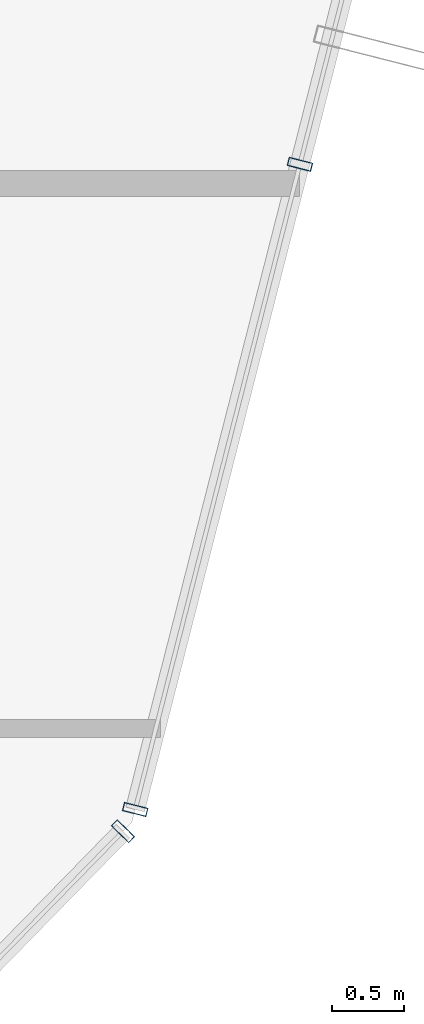
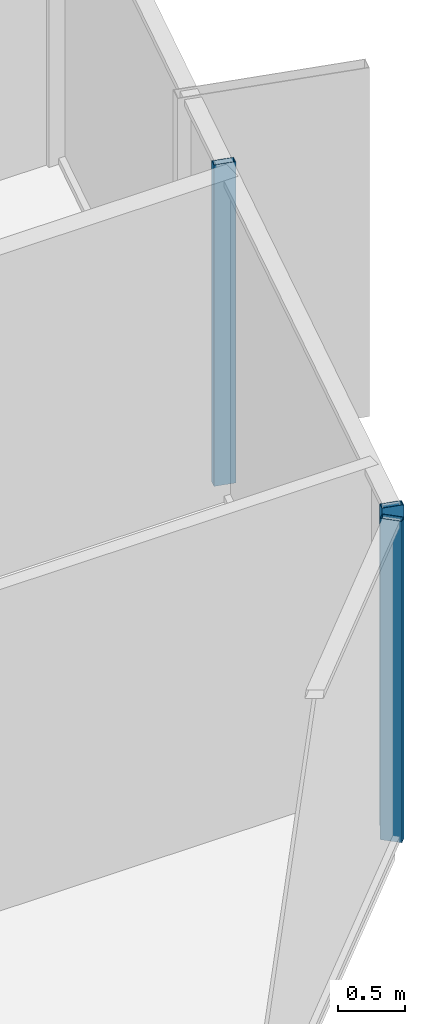
# One storey, part 15 of 39: 3 members, 2 elements without a shape of their own.
"""IFC4 building model written with IfcOpenShell, lengths in metres."""

import ifcopenshell
import ifcopenshell.guid

model = None  # the IFC model being written
_history = None  # IfcOwnerHistory: only IFC2X3 demands one
_inside = {}  # id of a spatial element -> (the spatial element, [elements in it])
_under = {}  # id of a project, library or spatial element -> (it, [spatial elements below it])
_declared = {}  # id of a project -> (the project, [libraries it declares])
_typed = {}  # id of a type object -> (the type object, [elements of that type])
_made_of = {}  # id of a material, layer set ... -> (it, [elements and type objects made of it])


def new_model(schema):
    """Start an empty IFC model of exactly this schema.

    Asked for "IFC4X3", IfcOpenShell would pick the latest addendum, in which some entities
    have other attributes; the version numbers below select the first issue.
    IFC2X3 requires an IfcOwnerHistory on every rooted entity: one is made here for all.
    """
    global model, _history
    if schema == "IFC4X3":
        model = ifcopenshell.file(schema_version=(4, 3, 0, 0))
    else:
        model = ifcopenshell.file(schema=schema)
    _inside.clear()
    _under.clear()
    _declared.clear()
    _typed.clear()
    _made_of.clear()
    _history = None
    if model.schema == "IFC2X3":
        org = make("IfcOrganization", Name="unknown")
        user = make(
            "IfcPersonAndOrganization",
            ThePerson=make("IfcPerson", FamilyName="unknown"),
            TheOrganization=org,
        )
        app = make(
            "IfcApplication",
            ApplicationDeveloper=org,
            Version="unknown",
            ApplicationFullName="unknown",
            ApplicationIdentifier="unknown",
        )
        _history = make(
            "IfcOwnerHistory",
            OwningUser=user,
            OwningApplication=app,
            ChangeAction="ADDED",
            CreationDate=0,
        )
    return model


def make(cls, **values):
    """One entity of the class cls with the attributes given. An attribute that is None is left unset."""
    return model.create_entity(
        cls, **{name: value for name, value in values.items() if value is not None}
    )


def rooted(cls, **values):
    """An entity with a GlobalId (a new one), such as an element, a storey or a relation."""
    return make(cls, GlobalId=ifcopenshell.guid.new(), OwnerHistory=_history, **values)


def si_unit(unit_type, name, prefix=None):
    """IfcSIUnit, for example si_unit("LENGTHUNIT", "METRE", prefix="MILLI")."""
    return make("IfcSIUnit", UnitType=unit_type, Prefix=prefix, Name=name)


def assignment(units):
    """IfcUnitAssignment: the units of a project."""
    return None if units is None else make("IfcUnitAssignment", Units=units)


def point(xyz):
    """IfcCartesianPoint."""
    return None if xyz is None else make("IfcCartesianPoint", Coordinates=xyz)


def direction(xyz):
    """IfcDirection."""
    return None if xyz is None else make("IfcDirection", DirectionRatios=xyz)


def frame(location, z_axis=None, x_axis=None):
    """IfcAxis2Placement3D, a coordinate frame: its origin and axes. An axis left out is left unset."""
    return make(
        "IfcAxis2Placement3D",
        Location=point(location),
        Axis=direction(z_axis),
        RefDirection=direction(x_axis),
    )


def frame_2d(location, x_axis=None):
    """IfcAxis2Placement2D, a coordinate frame in the plane: its origin and x axis."""
    return make(
        "IfcAxis2Placement2D", Location=point(location), RefDirection=direction(x_axis)
    )


def origin():
    """The frame at (0, 0, 0) with its axes left unset."""
    return frame((0.0, 0.0, 0.0))


def origin_2d():
    """The frame at (0, 0) in the plane with its x axis left unset."""
    return frame_2d((0.0, 0.0))


def place(relative_to, where):
    """IfcLocalPlacement: puts the frame where relative to a parent placement (None: the world)."""
    return make(
        "IfcLocalPlacement", PlacementRelTo=relative_to, RelativePlacement=where
    )


def context(
    kind, dimensions, precision=None, world=None, true_north=None, identifier=None
):
    """IfcGeometricRepresentationContext, for example the 3D "Model" context."""
    return make(
        "IfcGeometricRepresentationContext",
        ContextIdentifier=identifier,
        ContextType=kind,
        CoordinateSpaceDimension=dimensions,
        Precision=precision,
        WorldCoordinateSystem=world,
        TrueNorth=true_north,
    )


def subcontext(parent, identifier, kind, view, scale=None):
    """IfcGeometricRepresentationSubContext, for example "Body" below "Model"."""
    return make(
        "IfcGeometricRepresentationSubContext",
        ContextIdentifier=identifier,
        ContextType=kind,
        ParentContext=parent,
        TargetScale=scale,
        TargetView=view,
    )


def project(units=None, contexts=None):
    """IfcProject with its units and contexts."""
    return rooted(
        "IfcProject",
        Name="project",
        RepresentationContexts=contexts,
        UnitsInContext=assignment(units),
    )


def spatial(cls, under=None, at=None, **own):
    """A site, building, storey or space (cls), placed at a placement, below another one or the project."""
    s = rooted(cls, ObjectPlacement=at, **own)
    if under is not None:
        _under.setdefault(under.id(), (under, []))[1].append(s)
    return s


def profile(cls, at=None, kind="AREA", **sizes):
    """A parametric profile (cls). Its sizes go by their IFC names, for example OverallWidth=200.0."""
    return make(cls, ProfileType=kind, Position=at, **sizes)


def hollow_rectangle(**sizes):
    """IfcRectangleHollowProfileDef."""
    return profile("IfcRectangleHollowProfileDef", **sizes)


def extrude(swept, where, along, depth):
    """IfcExtrudedAreaSolid: the profile swept, set in the frame where, extruded along a direction by depth."""
    return make(
        "IfcExtrudedAreaSolid",
        SweptArea=swept,
        Position=where,
        ExtrudedDirection=direction(along),
        Depth=depth,
    )


def shape(context_of_items, identifier, shape_type, items):
    """IfcShapeRepresentation: the items that make up one representation, for example the "Body"."""
    return make(
        "IfcShapeRepresentation",
        ContextOfItems=context_of_items,
        RepresentationIdentifier=identifier,
        RepresentationType=shape_type,
        Items=items,
    )


def source(mapping_origin, context_of_items, identifier, shape_type, items):
    """IfcRepresentationMap: a shape defined once, which mapped items show again and again."""
    return make(
        "IfcRepresentationMap",
        MappingOrigin=mapping_origin,
        MappedRepresentation=shape(context_of_items, identifier, shape_type, items),
    )


def transform(
    local_origin,
    x_axis=None,
    y_axis=None,
    z_axis=None,
    scale=None,
    scale2=None,
    scale3=None,
    uniform=True,
):
    """IfcCartesianTransformationOperator3D, or its non-uniform kind. x_axis, y_axis, z_axis: its Axis1, 2, 3."""
    if uniform:
        return make(
            "IfcCartesianTransformationOperator3D",
            Axis1=direction(x_axis),
            Axis2=direction(y_axis),
            LocalOrigin=point(local_origin),
            Scale=scale,
            Axis3=direction(z_axis),
        )
    return make(
        "IfcCartesianTransformationOperator3DnonUniform",
        Axis1=direction(x_axis),
        Axis2=direction(y_axis),
        LocalOrigin=point(local_origin),
        Scale=scale,
        Axis3=direction(z_axis),
        Scale2=scale2,
        Scale3=scale3,
    )


def mapped(mapping_source, mapping_target):
    """IfcMappedItem: shows the shape of a source again, moved by a transform."""
    return make(
        "IfcMappedItem", MappingSource=mapping_source, MappingTarget=mapping_target
    )


def material(Name=None, Category=None):
    """IfcMaterial."""
    return make("IfcMaterial", Name=Name, Category=Category)


def layer(
    of_material, thickness, ventilated=None, Name=None, Category=None, Priority=None
):
    """IfcMaterialLayer: one layer of a wall or slab, of a material (None: an air gap)."""
    return make(
        "IfcMaterialLayer",
        Material=of_material,
        LayerThickness=thickness,
        IsVentilated=ventilated,
        Name=Name,
        Category=Category,
        Priority=Priority,
    )


def layer_set(layers, Name=None):
    """IfcMaterialLayerSet."""
    return make("IfcMaterialLayerSet", MaterialLayers=layers, LayerSetName=Name)


def material_profile(
    of_material, cross_section, Name=None, Category=None, Priority=None
):
    """IfcMaterialProfile: a cross section and its material."""
    return make(
        "IfcMaterialProfile",
        Name=Name,
        Material=of_material,
        Profile=cross_section,
        Priority=Priority,
        Category=Category,
    )


def profile_set(profiles, Name=None, composite=None):
    """IfcMaterialProfileSet."""
    return make(
        "IfcMaterialProfileSet",
        Name=Name,
        MaterialProfiles=profiles,
        CompositeProfile=composite,
    )


def made_of(thing, what):
    """Note that an element or type object is made of a material, layer set ...; save() writes the relation."""
    if what is not None:
        _made_of.setdefault(what.id(), (what, []))[1].append(thing)
    return thing


def type_object(cls, material=None, **own):
    """A type object (cls), such as IfcWallType, which elements share."""
    return made_of(rooted(cls, **own), material)


def element(
    cls,
    number,
    at=None,
    inside=None,
    cuts=None,
    type_object=None,
    material=None,
    context=None,
    identifier="Body",
    shape_type=None,
    held_by="IfcProductDefinitionShape",
    body=None,
    shapes=None,
    **own,
):
    """One element of the class cls, such as IfcWall. Its Tag is "e" and its number.

    at: its placement. inside: the storey or other place that contains it. cuts: it is an
    opening in that element (IfcRelVoidsElement). A single representation is given by context,
    identifier, shape_type and body (its items); several are given by shapes. held_by: the class
    of the entity that holds the representations. save() writes the other relations.
    """
    e = rooted(cls, Tag="e%d" % number, ObjectPlacement=at, **own)
    if body is not None:
        shapes = [shape(context, identifier, shape_type, body)]
    if shapes is not None:
        e.Representation = make(held_by, Representations=shapes)
    if inside is not None:
        _inside.setdefault(inside.id(), (inside, []))[1].append(e)
    if cuts is not None:
        rooted(
            "IfcRelVoidsElement", RelatingBuildingElement=cuts, RelatedOpeningElement=e
        )
    if type_object is not None:
        _typed.setdefault(type_object.id(), (type_object, []))[1].append(e)
    return made_of(e, material)


def aggregate(whole, parts):
    """IfcRelAggregates: a whole, such as a stair, and the parts it consists of."""
    return rooted("IfcRelAggregates", RelatingObject=whole, RelatedObjects=parts)


def save(model, path):
    """Write the relations noted so far, then the file.

    IfcRelAggregates (storeys below a building ...), IfcRelContainedInSpatialStructure (elements
    in a storey), IfcRelDefinesByType, IfcRelAssociatesMaterial and IfcRelDeclares: one each for
    every whole, place, type object, material and project.
    """
    for whole, parts in _under.values():
        aggregate(whole, parts)
    for where, things in _inside.values():
        rooted(
            "IfcRelContainedInSpatialStructure",
            RelatedElements=things,
            RelatingStructure=where,
        )
    for kind, things in _typed.values():
        rooted("IfcRelDefinesByType", RelatedObjects=things, RelatingType=kind)
    for what, things in _made_of.values():
        rooted("IfcRelAssociatesMaterial", RelatedObjects=things, RelatingMaterial=what)
    for by, libraries in _declared.values():
        rooted("IfcRelDeclares", RelatingContext=by, RelatedDefinitions=libraries)
    model.write(path)


model = new_model("IFC4")

# Units and contexts
model_context = context("Model", 3, precision=1e-05, world=origin(), true_north=direction((0.0, 1.0)))
body_context = subcontext(model_context, "Body", "Model", "MODEL_VIEW")
ifc_project = project(units=[si_unit("LENGTHUNIT", "METRE"), si_unit("AREAUNIT", "SQUARE_METRE"), si_unit("VOLUMEUNIT", "CUBIC_METRE"), si_unit("PLANEANGLEUNIT", "RADIAN"), si_unit("MASSUNIT", "GRAM", prefix="KILO")], contexts=[model_context])

# Site, building, storey
site_placement = place(None, origin())
site = spatial("IfcSite", under=ifc_project, at=site_placement, CompositionType="ELEMENT")
building_placement = place(site_placement, origin())
building = spatial("IfcBuilding", under=site, at=building_placement, Name="Veraguas Prism Commons", CompositionType="ELEMENT")
storey_placement = place(building_placement, frame((0.0, 0.0, 77.10009765625)))
storey = spatial("IfcBuildingStorey", under=building, at=storey_placement, Name="L21", CompositionType="ELEMENT", Elevation=77.10009765625)

# Curtain wall, members
ifc_material = material(Name="Anodised aluminium EN AW-6063 T6", Category="aluminium")
ifc_layer = layer(ifc_material, 0.169921875, Name="Unitised Flush Curtain Wall Zone 1", Category="aluminium")
ifc_layer_set = layer_set([ifc_layer], Name="Anodised aluminium EN AW-6063 T6")
curtain_wall_type = type_object("IfcCurtainWallType", Name="Unitised Flush Curtain Wall Zone 1", PredefinedType="NOTDEFINED", material=ifc_layer_set)
curtain_wall_1_placement = place(storey_placement, origin())
curtain_wall_1 = element("IfcCurtainWall", 1, at=curtain_wall_1_placement, inside=storey, type_object=curtain_wall_type, Name="Tower Facade Curtain Wall L21-F6", PredefinedType="NOTDEFINED")
ifc_material_profile = material_profile(ifc_material, hollow_rectangle(XDim=0.06005859375, YDim=0.169921875, WallThickness=0.00390625, at=origin_2d()), Name="AL60X170X4")
ifc_profile_set = profile_set([ifc_material_profile], Name="Anodised aluminium EN AW-6063 T6")
member_type = type_object("IfcMemberType", Name="Curtain Wall Mullion Lower AL 60x170x4", PredefinedType="MULLION", material=ifc_profile_set)
shared_shape = source(origin(), body_context, "Body", "SweptSolid", [
    extrude(hollow_rectangle(XDim=0.06005859375, YDim=0.169921875, WallThickness=0.00390625, at=origin_2d()), origin(), (0.0, 0.0, 1.0), 2.929931640625),
])
member_1_placement = place(storey_placement, frame((41.835693359375, 9.836669921875, 0.0), z_axis=(0.0, 0.0, 1.0), x_axis=(0.247340630168, 0.968928590077, 0.0)))
member_1 = element("IfcMember", 2, at=member_1_placement, type_object=member_type, Name="CW-Z1 Mullion 1", PredefinedType="MULLION", context=body_context, shape_type="MappedRepresentation", body=[
    mapped(shared_shape, transform((0.0, 0.0, 0.0), scale=1.0)),
])
member_2_placement = place(storey_placement, frame((42.983642578125, 14.333251953125, 0.0), z_axis=(0.0, 0.0, 1.0), x_axis=(0.247340630168, 0.968928590077, 0.0)))
member_2 = element("IfcMember", 3, at=member_2_placement, type_object=member_type, Name="CW-Z1 Mullion 2", PredefinedType="MULLION", context=body_context, shape_type="MappedRepresentation", body=[
    mapped(shared_shape, transform((0.0, 0.0, 0.0), scale=1.0)),
])
aggregate(curtain_wall_1, [member_1, member_2])

# Curtain wall, member
curtain_wall_2_placement = place(storey_placement, origin())
curtain_wall_2 = element("IfcCurtainWall", 4, at=curtain_wall_2_placement, inside=storey, type_object=curtain_wall_type, Name="Chamfer Curtain Wall L21-C6", PredefinedType="NOTDEFINED")
member_3_placement = place(storey_placement, frame((41.75048828125, 9.68505859375, 0.0), z_axis=(0.0, 0.0, 1.0), x_axis=(0.698666315462, 0.715447677779, 0.0)))
member_3 = element("IfcMember", 5, at=member_3_placement, type_object=member_type, Name="CW-Z1 Mullion 2", PredefinedType="MULLION", context=body_context, shape_type="MappedRepresentation", body=[
    mapped(shared_shape, transform((0.0, 0.0, 0.0), scale=1.0)),
])
aggregate(curtain_wall_2, [member_3])

save(model, "model.ifc")
